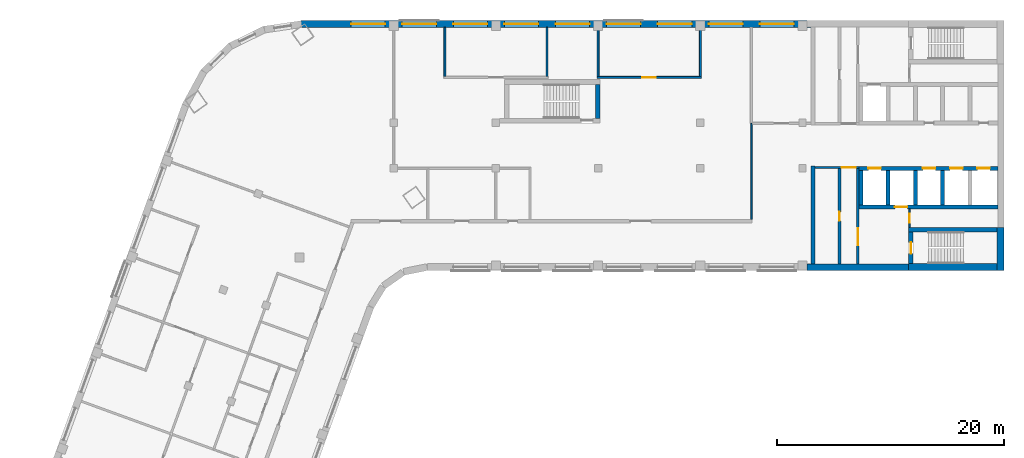
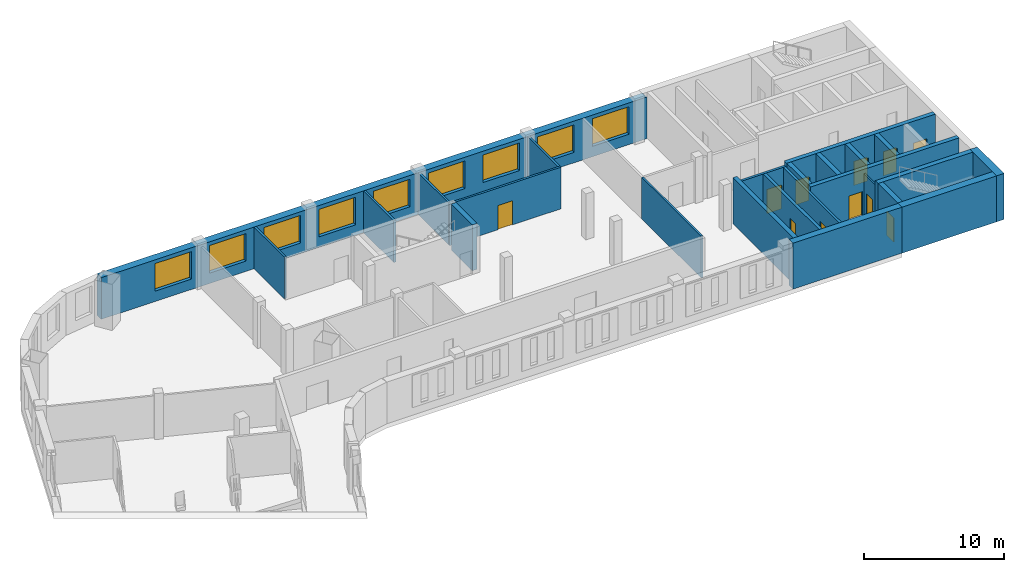
# One storey, part 5 of 8: 24 walls, 11 doors, 9 windows, 20 openings.
"""IFC4 building model written with IfcOpenShell, lengths in metres."""

from ifc_helpers import new_model, si_unit, direction, frame, frame_2d, origin, place, context, subcontext, project, spatial, rectangle, extrude, material, layer, layer_set, type_object, element, fill, save


model = new_model("IFC4")

# Units and contexts
model_context = context("Model", 3, precision=1e-05, world=origin(), true_north=direction((0.0, 1.0)))
body_context = subcontext(model_context, "Body", "Model", "MODEL_VIEW")
ifc_project = project(units=[si_unit("LENGTHUNIT", "METRE"), si_unit("AREAUNIT", "SQUARE_METRE"), si_unit("VOLUMEUNIT", "CUBIC_METRE"), si_unit("PLANEANGLEUNIT", "RADIAN"), si_unit("MASSUNIT", "GRAM", prefix="KILO")], contexts=[model_context])

# Site, building, storey
site_placement = place(None, origin())
site = spatial("IfcSite", under=ifc_project, at=site_placement, CompositionType="ELEMENT")
building_placement = place(site_placement, origin())
building = spatial("IfcBuilding", under=site, at=building_placement, Name="Skarvind Civic Tower", CompositionType="ELEMENT")
storey_placement = place(building_placement, frame((0.0, 0.0, 150.5)))
storey = spatial("IfcBuildingStorey", under=building, at=storey_placement, Name="L35", CompositionType="ELEMENT", Elevation=150.5)

# Walls
ifc_material_1 = material(Name="Acoustic gypsum board on steel studs", Category="steel")
ifc_layer_1 = layer(ifc_material_1, 0.175048828125)
ifc_layer_set_1 = layer_set([ifc_layer_1], Name="ACOUSTIC MEETING-ROOM PARTITION 175")
wall_type_1 = type_object("IfcWallType", Name="ACOUSTIC MEETING-ROOM PARTITION 175", PredefinedType="PARTITIONING", material=ifc_layer_set_1)
for number, where, z_axis, x_axis, name in (
    (1, (58.75, 134.087890625, 0.0), (0.0, 0.0, 1.0), (0.0, 1.0, 0.0), "Partition 35.033"),
    (2, (67.75, 138.39990234375, 0.0), (0.0, 0.0, 1.0), (0.0, -1.0, 0.0), "Partition 35.039"),
    (3, (72.25, 134.087890625, 0.0), (0.0, 0.0, 1.0), (0.0, 1.0, 0.0), "Partition 35.040"),
):
    element("IfcWall", number, at=place(storey_placement, frame(where, z_axis=z_axis, x_axis=x_axis)), inside=storey, type_object=wall_type_1, Name=name, PredefinedType="PARTITIONING", context=body_context, shape_type="SweptSolid", body=[
        extrude(rectangle(XDim=4.31201171875, YDim=0.175048828125, at=frame_2d((2.156005859375, 0.0))), origin(), (0.0, 0.0, 1.0), 3.625),
    ])

# Wall, opening, door
wall_1_placement = place(storey_placement, frame((81.337890625, 134.0, 0.0), z_axis=(0.0, 0.0, 1.0), x_axis=(-1.0, 0.0, 0.0)))
wall_1 = element("IfcWall", 4, at=wall_1_placement, inside=storey, type_object=wall_type_1, Name="Partition 35.041", PredefinedType="PARTITIONING", context=body_context, shape_type="SweptSolid", body=[
    extrude(rectangle(XDim=9.17578125, YDim=0.175048828125, at=frame_2d((4.587890625, 0.0))), origin(), (0.0, 0.0, 1.0), 3.625),
])
opening_1_placement = place(wall_1_placement, frame((3.988037109375, 0.0, 0.0)))
opening_1 = element("IfcOpeningElement", 5, at=opening_1_placement, cuts=wall_1, Name="Opening L35-D004", PredefinedType="OPENING", context=body_context, shape_type="SweptSolid", body=[
    extrude(rectangle(XDim=1.199951171875, YDim=2.10009765625, at=frame_2d((0.60009765625, 1.050048828125))), frame((0.0, 0.097412109375, 0.0), z_axis=(0.0, -1.0, 0.0), x_axis=(1.0, 0.0, 0.0)), (0.0, 0.0, 1.0), 0.195068359375),
])
ifc_material_2 = material(Name="Timber door leaf", Category="wood")
door_type_1 = type_object("IfcDoorType", Name="DOOR 1200X2100 DOUBLE TIMBER", OperationType="NOTDEFINED", PredefinedType="DOOR", material=ifc_material_2)
door_1_placement = place(opening_1_placement, origin())
door_1 = element("IfcDoor", 6, at=door_1_placement, inside=storey, type_object=door_type_1, Name="Door L35-D004", OperationType="DOUBLE_DOOR_SINGLE_SWING", OverallHeight=2.10009765625, OverallWidth=1.199951171875, PredefinedType="DOOR", context=body_context, shape_type="SweptSolid", body=[
    extrude(rectangle(XDim=1.199951171875, YDim=2.10009765625, at=frame_2d((0.60009765625, 1.050048828125))), frame((0.0, 0.02490234375, 0.0), z_axis=(0.0, -1.0, 0.0), x_axis=(1.0, 0.0, 0.0)), (0.0, 0.0, 1.0), 0.050048828125),
])
fill(opening_1, door_1)

# Wall
wall_2_placement = place(storey_placement, frame((81.25, 138.39990234375, 0.0), z_axis=(0.0, 0.0, 1.0), x_axis=(0.0, -1.0, 0.0)))
element("IfcWall", 7, at=wall_2_placement, inside=storey, type_object=wall_type_1, Name="Partition 35.042", PredefinedType="PARTITIONING", context=body_context, shape_type="SweptSolid", body=[
    extrude(rectangle(XDim=4.31201171875, YDim=0.175048828125, at=frame_2d((2.156005859375, 0.0))), origin(), (0.0, 0.0, 1.0), 3.625),
])

# Wall, opening, door
ifc_material_3 = material(Name="Fire-rated masonry partition", Category="masonry")
ifc_layer_2 = layer(ifc_material_3, 0.199951171875)
ifc_layer_set_2 = layer_set([ifc_layer_2], Name="Core enclosure wall 200")
wall_type_2 = type_object("IfcWallType", Name="Core enclosure wall 200", PredefinedType="PARTITIONING", material=ifc_layer_set_2)
wall_3_placement = place(storey_placement, frame((95.22509765625, 126.074951171875, 0.0), z_axis=(0.0, 0.0, 1.0), x_axis=(-1.0, 0.0, 0.0)))
wall_3 = element("IfcWall", 8, at=wall_3_placement, inside=storey, type_object=wall_type_2, Name="Core wall C1", PredefinedType="PARTITIONING", context=body_context, shape_type="SweptSolid", body=[
    extrude(rectangle(XDim=3.875, YDim=0.199951171875, at=frame_2d((1.9375, 0.0))), origin(), (0.0, 0.0, 1.0), 3.625),
])
opening_2_placement = place(wall_3_placement, frame((0.300048828125, 0.0, 0.0)))
opening_2 = element("IfcOpeningElement", 9, at=opening_2_placement, cuts=wall_3, Name="Opening D-L35-C1-07", PredefinedType="OPENING", context=body_context, shape_type="SweptSolid", body=[
    extrude(rectangle(XDim=1.199951171875, YDim=2.10009765625, at=frame_2d((0.60009765625, 1.050048828125))), frame((0.0, 0.10986328125, 0.0), z_axis=(0.0, -1.0, 0.0), x_axis=(1.0, 0.0, 0.0)), (0.0, 0.0, 1.0), 0.219970703125),
])
ifc_material_4 = material(Name="Fire-rated steel door", Category="steel")
door_type_2 = type_object("IfcDoorType", Name="Core lobby door 1200", OperationType="NOTDEFINED", PredefinedType="DOOR", material=ifc_material_4)
door_2_placement = place(opening_2_placement, origin())
door_2 = element("IfcDoor", 10, at=door_2_placement, inside=storey, type_object=door_type_2, Name="Fire door", OperationType="DOUBLE_DOOR_SINGLE_SWING", OverallHeight=2.10009765625, OverallWidth=1.199951171875, PredefinedType="DOOR", context=body_context, shape_type="SweptSolid", body=[
    extrude(rectangle(XDim=1.199951171875, YDim=2.10009765625, at=frame_2d((0.60009765625, 1.050048828125))), frame((0.0, 0.02490234375, 0.0), z_axis=(0.0, -1.0, 0.0), x_axis=(1.0, 0.0, 0.0)), (0.0, 0.0, 1.0), 0.050048828125),
])
fill(opening_2, door_2)

wall_4_placement = place(storey_placement, frame((95.125, 117.550048828125, 0.0), z_axis=(0.0, 0.0, 1.0), x_axis=(0.0, 1.0, 0.0)))
wall_4 = element("IfcWall", 11, at=wall_4_placement, inside=storey, type_object=wall_type_2, Name="Core wall C1", PredefinedType="PARTITIONING", context=body_context, shape_type="SweptSolid", body=[
    extrude(rectangle(XDim=8.425048828125, YDim=0.199951171875, at=frame_2d((4.21240234375, 0.0))), origin(), (0.0, 0.0, 1.0), 3.625),
])
opening_3_placement = place(wall_4_placement, frame((1.6875, 0.0, 0.0)))
opening_3 = element("IfcOpeningElement", 12, at=opening_3_placement, cuts=wall_4, Name="Opening D-L35-C1-08", PredefinedType="OPENING", context=body_context, shape_type="SweptSolid", body=[
    extrude(rectangle(XDim=1.5, YDim=2.10009765625, at=frame_2d((0.75, 1.050048828125))), frame((0.0, 0.10986328125, 0.0), z_axis=(0.0, -1.0, 0.0), x_axis=(1.0, 0.0, 0.0)), (0.0, 0.0, 1.0), 0.219970703125),
])
door_type_3 = type_object("IfcDoorType", Name="Fire door 1500", OperationType="NOTDEFINED", PredefinedType="DOOR", material=ifc_material_4)
door_3_placement = place(opening_3_placement, origin())
door_3 = element("IfcDoor", 13, at=door_3_placement, inside=storey, type_object=door_type_3, Name="Fire door", OperationType="DOUBLE_DOOR_SINGLE_SWING", OverallHeight=2.10009765625, OverallWidth=1.5, PredefinedType="DOOR", context=body_context, shape_type="SweptSolid", body=[
    extrude(rectangle(XDim=1.5, YDim=2.10009765625, at=frame_2d((0.75, 1.050048828125))), frame((0.0, 0.02490234375, 0.0), z_axis=(0.0, -1.0, 0.0), x_axis=(1.0, 0.0, 0.0)), (0.0, 0.0, 1.0), 0.050048828125),
])
fill(opening_3, door_3)

# Wall, openings, doors
ifc_material_5 = material(Name="Concrete C60", Category="concrete")
ifc_layer_3 = layer(ifc_material_5, 0.35009765625)
ifc_layer_set_3 = layer_set([ifc_layer_3], Name="Core wall 350 C60")
wall_type_3 = type_object("IfcWallType", Name="Core wall 350 C60", PredefinedType="SHEAR", material=ifc_layer_set_3)
wall_5_placement = place(storey_placement, frame((107.449951171875, 126.0, 0.0), z_axis=(0.0, 0.0, 1.0), x_axis=(-1.0, 0.0, 0.0)))
wall_5 = element("IfcWall", 14, at=wall_5_placement, inside=storey, type_object=wall_type_3, Name="Core wall C1 north lift row front L35", PredefinedType="SHEAR", context=body_context, shape_type="SweptSolid", body=[
    extrude(rectangle(XDim=12.224853515625, YDim=0.35009765625, at=frame_2d((6.1123046875, 0.0))), origin(), (0.0, 0.0, 1.0), 4.0),
])
opening_4_placement = place(wall_5_placement, frame((0.699951171875, 0.0, 0.0)))
opening_4 = element("IfcOpeningElement", 15, at=opening_4_placement, cuts=wall_5, Name="Opening LD37101", PredefinedType="OPENING", context=body_context, shape_type="SweptSolid", body=[
    extrude(rectangle(XDim=1.10009765625, YDim=2.10009765625, at=frame_2d((0.550048828125, 1.050048828125))), frame((0.0, 0.18505859375, 0.0), z_axis=(0.0, -1.0, 0.0), x_axis=(1.0, 0.0, 0.0)), (0.0, 0.0, 1.0), 0.3701171875),
])
opening_5_placement = place(wall_5_placement, frame((3.10009765625, 0.0, 0.0)))
opening_5 = element("IfcOpeningElement", 16, at=opening_5_placement, cuts=wall_5, Name="Opening LD37102", PredefinedType="OPENING", context=body_context, shape_type="SweptSolid", body=[
    extrude(rectangle(XDim=1.10009765625, YDim=2.10009765625, at=frame_2d((0.550048828125, 1.050048828125))), frame((0.0, 0.18505859375, 0.0), z_axis=(0.0, -1.0, 0.0), x_axis=(1.0, 0.0, 0.0)), (0.0, 0.0, 1.0), 0.3701171875),
])
opening_6_placement = place(wall_5_placement, frame((5.5, 0.0, 0.0)))
opening_6 = element("IfcOpeningElement", 17, at=opening_6_placement, cuts=wall_5, Name="Opening LD37103", PredefinedType="OPENING", context=body_context, shape_type="SweptSolid", body=[
    extrude(rectangle(XDim=1.10009765625, YDim=2.10009765625, at=frame_2d((0.550048828125, 1.050048828125))), frame((0.0, 0.18505859375, 0.0), z_axis=(0.0, -1.0, 0.0), x_axis=(1.0, 0.0, 0.0)), (0.0, 0.0, 1.0), 0.3701171875),
])
opening_7_placement = place(wall_5_placement, frame((10.300048828125, 0.0, 0.0)))
opening_7 = element("IfcOpeningElement", 18, at=opening_7_placement, cuts=wall_5, Name="Opening LD37105", PredefinedType="OPENING", context=body_context, shape_type="SweptSolid", body=[
    extrude(rectangle(XDim=1.10009765625, YDim=2.10009765625, at=frame_2d((0.550048828125, 1.050048828125))), frame((0.0, 0.18505859375, 0.0), z_axis=(0.0, -1.0, 0.0), x_axis=(1.0, 0.0, 0.0)), (0.0, 0.0, 1.0), 0.3701171875),
])
ifc_material_6 = material(Name="Stainless steel landing door", Category="steel")
door_type_4 = type_object("IfcDoorType", Name="Lift landing door 1100", OperationType="DOUBLE_DOOR_SLIDING", PredefinedType="DOOR", material=ifc_material_6)
door_4_placement = place(opening_4_placement, origin())
door_4 = element("IfcDoor", 19, at=door_4_placement, inside=storey, type_object=door_type_4, Name="Lift landing door", OperationType="DOUBLE_DOOR_SLIDING", OverallHeight=2.10009765625, OverallWidth=1.10009765625, PredefinedType="DOOR", context=body_context, shape_type="SweptSolid", body=[
    extrude(rectangle(XDim=1.10009765625, YDim=2.10009765625, at=frame_2d((0.550048828125, 1.050048828125))), frame((0.0, 0.02490234375, 0.0), z_axis=(0.0, -1.0, 0.0), x_axis=(1.0, 0.0, 0.0)), (0.0, 0.0, 1.0), 0.050048828125),
])
fill(opening_4, door_4)
door_5_placement = place(opening_5_placement, origin())
door_5 = element("IfcDoor", 20, at=door_5_placement, inside=storey, type_object=door_type_4, Name="Lift landing door", OperationType="DOUBLE_DOOR_SLIDING", OverallHeight=2.10009765625, OverallWidth=1.10009765625, PredefinedType="DOOR", context=body_context, shape_type="SweptSolid", body=[
    extrude(rectangle(XDim=1.10009765625, YDim=2.10009765625, at=frame_2d((0.550048828125, 1.050048828125))), frame((0.0, 0.02490234375, 0.0), z_axis=(0.0, -1.0, 0.0), x_axis=(1.0, 0.0, 0.0)), (0.0, 0.0, 1.0), 0.050048828125),
])
fill(opening_5, door_5)
door_6_placement = place(opening_6_placement, origin())
door_6 = element("IfcDoor", 21, at=door_6_placement, inside=storey, type_object=door_type_4, Name="Lift landing door", OperationType="DOUBLE_DOOR_SLIDING", OverallHeight=2.10009765625, OverallWidth=1.10009765625, PredefinedType="DOOR", context=body_context, shape_type="SweptSolid", body=[
    extrude(rectangle(XDim=1.10009765625, YDim=2.10009765625, at=frame_2d((0.550048828125, 1.050048828125))), frame((0.0, 0.02490234375, 0.0), z_axis=(0.0, -1.0, 0.0), x_axis=(1.0, 0.0, 0.0)), (0.0, 0.0, 1.0), 0.050048828125),
])
fill(opening_6, door_6)
door_7_placement = place(opening_7_placement, origin())
door_7 = element("IfcDoor", 22, at=door_7_placement, inside=storey, type_object=door_type_4, Name="Lift landing door", OperationType="DOUBLE_DOOR_SLIDING", OverallHeight=2.10009765625, OverallWidth=1.10009765625, PredefinedType="DOOR", context=body_context, shape_type="SweptSolid", body=[
    extrude(rectangle(XDim=1.10009765625, YDim=2.10009765625, at=frame_2d((0.550048828125, 1.050048828125))), frame((0.0, 0.02490234375, 0.0), z_axis=(0.0, -1.0, 0.0), x_axis=(1.0, 0.0, 0.0)), (0.0, 0.0, 1.0), 0.050048828125),
])
fill(opening_7, door_7)

# Wall, opening, door
wall_6_placement = place(storey_placement, frame((107.449951171875, 122.60009765625, 0.0), z_axis=(0.0, 0.0, 1.0), x_axis=(-1.0, 0.0, 0.0)))
wall_6 = element("IfcWall", 23, at=wall_6_placement, inside=storey, type_object=wall_type_3, Name="Core wall C1 north lift row back L35", PredefinedType="SHEAR", context=body_context, shape_type="SweptSolid", body=[
    extrude(rectangle(XDim=12.224853515625, YDim=0.35009765625, at=frame_2d((6.1123046875, 0.0))), origin(), (0.0, 0.0, 1.0), 4.0),
])
opening_8_placement = place(wall_6_placement, frame((7.949951171875, 0.0, 0.0)))
opening_8 = element("IfcOpeningElement", 24, at=opening_8_placement, cuts=wall_6, Name="Opening LD37104", PredefinedType="OPENING", context=body_context, shape_type="SweptSolid", body=[
    extrude(rectangle(XDim=1.10009765625, YDim=2.10009765625, at=frame_2d((0.550048828125, 1.050048828125))), frame((0.0, 0.18505859375, 0.0), z_axis=(0.0, -1.0, 0.0), x_axis=(1.0, 0.0, 0.0)), (0.0, 0.0, 1.0), 0.3701171875),
])
door_8_placement = place(opening_8_placement, origin())
door_8 = element("IfcDoor", 25, at=door_8_placement, inside=storey, type_object=door_type_4, Name="Lift landing door", OperationType="DOUBLE_DOOR_SLIDING", OverallHeight=2.10009765625, OverallWidth=1.10009765625, PredefinedType="DOOR", context=body_context, shape_type="SweptSolid", body=[
    extrude(rectangle(XDim=1.10009765625, YDim=2.10009765625, at=frame_2d((0.550048828125, 1.050048828125))), frame((0.0, 0.02490234375, 0.0), z_axis=(0.0, -1.0, 0.0), x_axis=(1.0, 0.0, 0.0)), (0.0, 0.0, 1.0), 0.050048828125),
])
fill(opening_8, door_8)

# Walls
for number, where, z_axis, x_axis, name in (
    (26, (102.60009765625, 125.824951171875, 0.0), (0.0, 0.0, 1.0), (0.0, -1.0, 0.0), "Core wall C1 north lift row division 2 L35"),
    (27, (100.199951171875, 125.824951171875, 0.0), (0.0, 0.0, 1.0), (0.0, -1.0, 0.0), "Core wall C1 north lift row division 3 L35"),
    (28, (97.800048828125, 125.824951171875, 0.0), (0.0, 0.0, 1.0), (0.0, -1.0, 0.0), "Core wall C1 north lift row division 4 L35"),
    (29, (95.39990234375, 125.824951171875, 0.0), (0.0, 0.0, 1.0), (0.0, -1.0, 0.0), "Core wall C1 north lift row division 5 L35"),
):
    element("IfcWall", number, at=place(storey_placement, frame(where, z_axis=z_axis, x_axis=x_axis)), inside=storey, type_object=wall_type_3, Name=name, PredefinedType="SHEAR", context=body_context, shape_type="SweptSolid", body=[
        extrude(rectangle(XDim=3.050048828125, YDim=0.35009765625, at=frame_2d((1.52490234375, 0.0))), origin(), (0.0, 0.0, 1.0), 4.0),
    ])
wall_7_placement = place(storey_placement, frame((91.175048828125, 126.199951171875, 0.0), z_axis=(0.0, 0.0, 1.0), x_axis=(0.0, -1.0, 0.0)))
element("IfcWall", 30, at=wall_7_placement, inside=storey, type_object=wall_type_3, Name="Core wall C1 north inner face L35", PredefinedType="SHEAR", context=body_context, shape_type="SweptSolid", body=[
    extrude(rectangle(XDim=8.64990234375, YDim=0.35009765625, at=frame_2d((4.324951171875, 0.0))), origin(), (0.0, 0.0, 1.0), 4.0),
])
ifc_layer_4 = layer(ifc_material_5, 0.39990234375)
ifc_layer_set_4 = layer_set([ifc_layer_4], Name="Core wall 400 C60")
wall_type_4 = type_object("IfcWallType", Name="Core wall 400 C60", PredefinedType="SHEAR", material=ifc_layer_set_4)
wall_8_placement = place(storey_placement, frame((107.39990234375, 120.60009765625, 0.0), z_axis=(0.0, 0.0, 1.0), x_axis=(-1.0, 0.0, 0.0)))
element("IfcWall", 31, at=wall_8_placement, inside=storey, type_object=wall_type_4, Name="Core wall C1 north stair inner L35", PredefinedType="SHEAR", context=body_context, shape_type="SweptSolid", body=[
    extrude(rectangle(XDim=7.7998046875, YDim=0.39990234375, at=frame_2d((3.89990234375, 0.0))), origin(), (0.0, 0.0, 1.0), 4.0),
])

# Wall, opening, door
wall_9_placement = place(storey_placement, frame((99.800048828125, 120.39990234375, 0.0), z_axis=(0.0, 0.0, 1.0), x_axis=(0.0, -1.0, 0.0)))
wall_9 = element("IfcWall", 32, at=wall_9_placement, inside=storey, type_object=wall_type_4, Name="Core wall C1 north stair end L35", PredefinedType="SHEAR", context=body_context, shape_type="SweptSolid", body=[
    extrude(rectangle(XDim=2.7998046875, YDim=0.39990234375, at=frame_2d((1.39990234375, 0.0))), origin(), (0.0, 0.0, 1.0), 4.0),
])
opening_9_placement = place(wall_9_placement, frame((0.925048828125, 0.0, 0.0)))
opening_9 = element("IfcOpeningElement", 33, at=opening_9_placement, cuts=wall_9, Name="Opening D-L35-C1-09", PredefinedType="OPENING", context=body_context, shape_type="SweptSolid", body=[
    extrude(rectangle(XDim=1.0, YDim=2.10009765625, at=frame_2d((0.5, 1.050048828125))), frame((0.0, 0.2099609375, 0.0), z_axis=(0.0, -1.0, 0.0), x_axis=(1.0, 0.0, 0.0)), (0.0, 0.0, 1.0), 0.419921875),
])
door_type_5 = type_object("IfcDoorType", Name="Fire door 1000", OperationType="NOTDEFINED", PredefinedType="DOOR", material=ifc_material_4)
door_9_placement = place(opening_9_placement, origin())
door_9 = element("IfcDoor", 34, at=door_9_placement, inside=storey, type_object=door_type_5, Name="Fire door", OperationType="SINGLE_SWING_LEFT", OverallHeight=2.10009765625, OverallWidth=1.0, PredefinedType="DOOR", context=body_context, shape_type="SweptSolid", body=[
    extrude(rectangle(XDim=1.0, YDim=2.10009765625, at=frame_2d((0.5, 1.050048828125))), frame((0.0, 0.02490234375, 0.0), z_axis=(0.0, -1.0, 0.0), x_axis=(1.0, 0.0, 0.0)), (0.0, 0.0, 1.0), 0.050048828125),
])
fill(opening_9, door_9)

# Walls
wall_10_placement = place(storey_placement, frame((72.199951171875, 130.39990234375, 0.0), z_axis=(0.0, 0.0, 1.0), x_axis=(0.0, 1.0, 0.0)))
element("IfcWall", 35, at=wall_10_placement, inside=storey, type_object=wall_type_4, Name="Core wall CM end L35", PredefinedType="SHEAR", context=body_context, shape_type="SweptSolid", body=[
    extrude(rectangle(XDim=3.0, YDim=0.39990234375, at=frame_2d((1.5, 0.0))), origin(), (0.0, 0.0, 1.0), 4.0),
])
ifc_layer_5 = layer(ifc_material_5, 0.550048828125)
ifc_layer_set_5 = layer_set([ifc_layer_5], Name="Core wall 550 C60")
wall_type_5 = type_object("IfcWallType", Name="Core wall 550 C60", PredefinedType="SHEAR", material=ifc_layer_set_5)
wall_11_placement = place(storey_placement, frame((99.60009765625, 117.27490234375, 0.0), z_axis=(0.0, 0.0, 1.0), x_axis=(-1.0, 0.0, 0.0)))
element("IfcWall", 36, at=wall_11_placement, inside=storey, type_object=wall_type_5, Name="Core wall C1 north side L35", PredefinedType="SHEAR", context=body_context, shape_type="SweptSolid", body=[
    extrude(rectangle(XDim=8.9501953125, YDim=0.550048828125, at=frame_2d((4.47509765625, 0.0))), origin(), (0.0, 0.0, 1.0), 4.0),
])
ifc_layer_6 = layer(ifc_material_5, 0.60009765625)
ifc_layer_set_6 = layer_set([ifc_layer_6], Name="Core wall 600 C60")
wall_type_6 = type_object("IfcWallType", Name="Core wall 600 C60", PredefinedType="SHEAR", material=ifc_layer_set_6)
wall_12_placement = place(storey_placement, frame((107.699951171875, 120.800048828125, 0.0), z_axis=(0.0, 0.0, 1.0), x_axis=(0.0, -1.0, 0.0)))
element("IfcWall", 37, at=wall_12_placement, inside=storey, type_object=wall_type_6, Name="Core wall C1 tip at the north stair L35", PredefinedType="SHEAR", context=body_context, shape_type="SweptSolid", body=[
    extrude(rectangle(XDim=3.800048828125, YDim=0.60009765625, at=frame_2d((1.89990234375, 0.0))), origin(), (0.0, 0.0, 1.0), 4.0),
])
wall_13_placement = place(storey_placement, frame((107.39990234375, 117.300048828125, 0.0), z_axis=(0.0, 0.0, 1.0), x_axis=(-1.0, 0.0, 0.0)))
element("IfcWall", 38, at=wall_13_placement, inside=storey, type_object=wall_type_6, Name="Core wall C1 north side at the stair L35", PredefinedType="SHEAR", context=body_context, shape_type="SweptSolid", body=[
    extrude(rectangle(XDim=7.7998046875, YDim=0.60009765625, at=frame_2d((3.89990234375, 0.0))), origin(), (0.0, 0.0, 1.0), 4.0),
])
ifc_material_7 = material(Name="Plasterboard partition on steel studs", Category="steel")
ifc_layer_7 = layer(ifc_material_7, 0.14990234375)
ifc_layer_set_7 = layer_set([ifc_layer_7], Name="PARTITION 150")
wall_type_7 = type_object("IfcWallType", Name="PARTITION 150", PredefinedType="PARTITIONING", material=ifc_layer_set_7)
wall_14_placement = place(storey_placement, frame((85.75, 121.5, 0.0), z_axis=(0.0, 0.0, 1.0), x_axis=(0.0, 1.0, 0.0)))
element("IfcWall", 39, at=wall_14_placement, inside=storey, type_object=wall_type_7, Name="Partition 35.043", PredefinedType="PARTITIONING", context=body_context, shape_type="SweptSolid", body=[
    extrude(rectangle(XDim=8.449951171875, YDim=0.14990234375, at=frame_2d((4.22509765625, 0.0))), origin(), (0.0, 0.0, 1.0), 3.625),
])

# Wall, opening, door
ifc_layer_8 = layer(ifc_material_3, 0.125)
ifc_layer_set_8 = layer_set([ifc_layer_8], Name="Riser wall 125")
wall_type_8 = type_object("IfcWallType", Name="Riser wall 125", PredefinedType="PARTITIONING", material=ifc_layer_set_8)
wall_15_placement = place(storey_placement, frame((99.66259765625, 120.800048828125, 0.0), z_axis=(0.0, 0.0, 1.0), x_axis=(0.0, 1.0, 0.0)))
wall_15 = element("IfcWall", 40, at=wall_15_placement, inside=storey, type_object=wall_type_8, Name="Core wall C1", PredefinedType="PARTITIONING", context=body_context, shape_type="SweptSolid", body=[
    extrude(rectangle(XDim=1.625, YDim=0.125, at=frame_2d((0.8125, 0.0))), origin(), (0.0, 0.0, 1.0), 3.625),
])
opening_10_placement = place(wall_15_placement, frame((0.41259765625, 0.0, 0.0)))
opening_10 = element("IfcOpeningElement", 41, at=opening_10_placement, cuts=wall_15, Name="Opening D-L35-C1-10", PredefinedType="OPENING", context=body_context, shape_type="SweptSolid", body=[
    extrude(rectangle(XDim=0.800048828125, YDim=2.10009765625, at=frame_2d((0.39990234375, 1.050048828125))), frame((0.0, 0.072509765625, 0.0), z_axis=(0.0, -1.0, 0.0), x_axis=(1.0, 0.0, 0.0)), (0.0, 0.0, 1.0), 0.14501953125),
])
door_type_6 = type_object("IfcDoorType", Name="Core riser door 800", OperationType="NOTDEFINED", PredefinedType="DOOR", material=ifc_material_4)
door_10_placement = place(opening_10_placement, origin())
door_10 = element("IfcDoor", 42, at=door_10_placement, inside=storey, type_object=door_type_6, Name="Riser door", OperationType="SINGLE_SWING_RIGHT", OverallHeight=2.10009765625, OverallWidth=0.800048828125, PredefinedType="DOOR", context=body_context, shape_type="SweptSolid", body=[
    extrude(rectangle(XDim=0.800048828125, YDim=2.10009765625, at=frame_2d((0.39990234375, 1.050048828125))), frame((0.0, 0.02490234375, 0.0), z_axis=(0.0, -1.0, 0.0), x_axis=(1.0, 0.0, 0.0)), (0.0, 0.0, 1.0), 0.050048828125),
])
fill(opening_10, door_10)

ifc_layer_9 = layer(ifc_material_3, 0.25)
ifc_layer_set_9 = layer_set([ifc_layer_9], Name="Service block wall 250")
wall_type_9 = type_object("IfcWallType", Name="Service block wall 250", PredefinedType="PARTITIONING", material=ifc_layer_set_9)
wall_16_placement = place(storey_placement, frame((93.5, 117.550048828125, 0.0), z_axis=(0.0, 0.0, 1.0), x_axis=(0.0, 1.0, 0.0)))
wall_16 = element("IfcWall", 43, at=wall_16_placement, inside=storey, type_object=wall_type_9, Name="Core wall C1", PredefinedType="PARTITIONING", context=body_context, shape_type="SweptSolid", body=[
    extrude(rectangle(XDim=8.425048828125, YDim=0.25, at=frame_2d((4.21240234375, 0.0))), origin(), (0.0, 0.0, 1.0), 3.625),
])
opening_11_placement = place(wall_16_placement, frame((3.8125, 0.0, 0.0)))
opening_11 = element("IfcOpeningElement", 44, at=opening_11_placement, cuts=wall_16, Name="Opening D-L35-C1-11", PredefinedType="OPENING", context=body_context, shape_type="SweptSolid", body=[
    extrude(rectangle(XDim=0.800048828125, YDim=2.10009765625, at=frame_2d((0.39990234375, 1.050048828125))), frame((0.0, 0.135009765625, 0.0), z_axis=(0.0, -1.0, 0.0), x_axis=(1.0, 0.0, 0.0)), (0.0, 0.0, 1.0), 0.27001953125),
])
door_11_placement = place(opening_11_placement, origin())
door_11 = element("IfcDoor", 45, at=door_11_placement, inside=storey, type_object=door_type_6, Name="Riser door", OperationType="SINGLE_SWING_LEFT", OverallHeight=2.10009765625, OverallWidth=0.800048828125, PredefinedType="DOOR", context=body_context, shape_type="SweptSolid", body=[
    extrude(rectangle(XDim=0.800048828125, YDim=2.10009765625, at=frame_2d((0.39990234375, 1.050048828125))), frame((0.0, 0.02490234375, 0.0), z_axis=(0.0, -1.0, 0.0), x_axis=(1.0, 0.0, 0.0)), (0.0, 0.0, 1.0), 0.050048828125),
])
fill(opening_11, door_11)

# Wall, openings, windows
ifc_material_8 = material(Name="Limestone masonry cladding on insulated backing", Category="masonry")
ifc_layer_10 = layer(ifc_material_8, 0.60009765625)
ifc_layer_set_10 = layer_set([ifc_layer_10], Name="WX1 STONE FACADE WALL 600")
wall_type_10 = type_object("IfcWallType", Name="WX1 STONE FACADE WALL 600", PredefinedType="SOLIDWALL", material=ifc_layer_set_10)
wall_17_placement = place(storey_placement, frame((46.095458984375, 138.699951171875, 0.0), z_axis=(0.0, 0.0, 1.0), x_axis=(1.0, 0.0, 0.0)))
wall_17 = element("IfcWall", 46, at=wall_17_placement, inside=storey, type_object=wall_type_10, Name="STONE FACADE WALL", PredefinedType="SOLIDWALL", context=body_context, shape_type="SweptSolid", body=[
    extrude(rectangle(XDim=44.884521484375, YDim=0.60009765625, at=frame_2d((22.4423828125, 0.0))), origin(), (0.0, 0.0, 1.0), 3.625),
])
opening_12_placement = place(wall_17_placement, frame((4.404541015625, 0.0, 0.89990234375)))
opening_12 = element("IfcOpeningElement", 47, at=opening_12_placement, cuts=wall_17, Name="Opening WN1", PredefinedType="OPENING", context=body_context, shape_type="SweptSolid", body=[
    extrude(rectangle(XDim=3.0, YDim=2.39990234375, at=frame_2d((1.5, 1.199951171875))), frame((0.0, 0.31005859375, 0.0), z_axis=(0.0, -1.0, 0.0), x_axis=(1.0, 0.0, 0.0)), (0.0, 0.0, 1.0), 0.6201171875),
])
opening_13_placement = place(wall_17_placement, frame((8.904541015625, 0.0, 0.89990234375)))
opening_13 = element("IfcOpeningElement", 48, at=opening_13_placement, cuts=wall_17, Name="Opening WN1", PredefinedType="OPENING", context=body_context, shape_type="SweptSolid", body=[
    extrude(rectangle(XDim=3.0, YDim=2.39990234375, at=frame_2d((1.5, 1.199951171875))), frame((0.0, 0.31005859375, 0.0), z_axis=(0.0, -1.0, 0.0), x_axis=(1.0, 0.0, 0.0)), (0.0, 0.0, 1.0), 0.6201171875),
])
opening_14_placement = place(wall_17_placement, frame((13.404541015625, 0.0, 0.89990234375)))
opening_14 = element("IfcOpeningElement", 49, at=opening_14_placement, cuts=wall_17, Name="Opening WN1", PredefinedType="OPENING", context=body_context, shape_type="SweptSolid", body=[
    extrude(rectangle(XDim=3.0, YDim=2.39990234375, at=frame_2d((1.5, 1.199951171875))), frame((0.0, 0.31005859375, 0.0), z_axis=(0.0, -1.0, 0.0), x_axis=(1.0, 0.0, 0.0)), (0.0, 0.0, 1.0), 0.6201171875),
])
opening_15_placement = place(wall_17_placement, frame((17.904541015625, 0.0, 0.89990234375)))
opening_15 = element("IfcOpeningElement", 50, at=opening_15_placement, cuts=wall_17, Name="Opening WN1", PredefinedType="OPENING", context=body_context, shape_type="SweptSolid", body=[
    extrude(rectangle(XDim=3.0, YDim=2.39990234375, at=frame_2d((1.5, 1.199951171875))), frame((0.0, 0.31005859375, 0.0), z_axis=(0.0, -1.0, 0.0), x_axis=(1.0, 0.0, 0.0)), (0.0, 0.0, 1.0), 0.6201171875),
])
opening_16_placement = place(wall_17_placement, frame((22.404541015625, 0.0, 0.89990234375)))
opening_16 = element("IfcOpeningElement", 51, at=opening_16_placement, cuts=wall_17, Name="Opening WN1", PredefinedType="OPENING", context=body_context, shape_type="SweptSolid", body=[
    extrude(rectangle(XDim=3.0, YDim=2.39990234375, at=frame_2d((1.5, 1.199951171875))), frame((0.0, 0.31005859375, 0.0), z_axis=(0.0, -1.0, 0.0), x_axis=(1.0, 0.0, 0.0)), (0.0, 0.0, 1.0), 0.6201171875),
])
opening_17_placement = place(wall_17_placement, frame((26.904541015625, 0.0, 0.89990234375)))
opening_17 = element("IfcOpeningElement", 52, at=opening_17_placement, cuts=wall_17, Name="Opening WN1", PredefinedType="OPENING", context=body_context, shape_type="SweptSolid", body=[
    extrude(rectangle(XDim=3.0, YDim=2.39990234375, at=frame_2d((1.5, 1.199951171875))), frame((0.0, 0.31005859375, 0.0), z_axis=(0.0, -1.0, 0.0), x_axis=(1.0, 0.0, 0.0)), (0.0, 0.0, 1.0), 0.6201171875),
])
opening_18_placement = place(wall_17_placement, frame((31.404541015625, 0.0, 0.89990234375)))
opening_18 = element("IfcOpeningElement", 53, at=opening_18_placement, cuts=wall_17, Name="Opening WN1", PredefinedType="OPENING", context=body_context, shape_type="SweptSolid", body=[
    extrude(rectangle(XDim=3.0, YDim=2.39990234375, at=frame_2d((1.5, 1.199951171875))), frame((0.0, 0.31005859375, 0.0), z_axis=(0.0, -1.0, 0.0), x_axis=(1.0, 0.0, 0.0)), (0.0, 0.0, 1.0), 0.6201171875),
])
opening_19_placement = place(wall_17_placement, frame((35.904541015625, 0.0, 0.89990234375)))
opening_19 = element("IfcOpeningElement", 54, at=opening_19_placement, cuts=wall_17, Name="Opening WN1", PredefinedType="OPENING", context=body_context, shape_type="SweptSolid", body=[
    extrude(rectangle(XDim=3.0, YDim=2.39990234375, at=frame_2d((1.5, 1.199951171875))), frame((0.0, 0.31005859375, 0.0), z_axis=(0.0, -1.0, 0.0), x_axis=(1.0, 0.0, 0.0)), (0.0, 0.0, 1.0), 0.6201171875),
])
opening_20_placement = place(wall_17_placement, frame((40.404541015625, 0.0, 0.89990234375)))
opening_20 = element("IfcOpeningElement", 55, at=opening_20_placement, cuts=wall_17, Name="Opening WN1", PredefinedType="OPENING", context=body_context, shape_type="SweptSolid", body=[
    extrude(rectangle(XDim=3.0, YDim=2.39990234375, at=frame_2d((1.5, 1.199951171875))), frame((0.0, 0.31005859375, 0.0), z_axis=(0.0, -1.0, 0.0), x_axis=(1.0, 0.0, 0.0)), (0.0, 0.0, 1.0), 0.6201171875),
])
ifc_material_9 = material(Name="Timber frame, double glazing, timber-lined reveal", Category="wood")
window_type = type_object("IfcWindowType", Name="WN1 PUNCHED STONE WINDOW 3000 x 2400", PartitioningType="SINGLE_PANEL", PredefinedType="WINDOW", material=ifc_material_9)
window_1_placement = place(opening_12_placement, origin())
window_1 = element("IfcWindow", 56, at=window_1_placement, inside=storey, type_object=window_type, Name="WN1 WINDOW", OverallHeight=2.39990234375, OverallWidth=3.0, PartitioningType="SINGLE_PANEL", PredefinedType="WINDOW", context=body_context, shape_type="SweptSolid", body=[
    extrude(rectangle(XDim=3.0, YDim=2.39990234375, at=frame_2d((1.5, 1.199951171875))), frame((0.0, 0.030029296875, 0.0), z_axis=(0.0, -1.0, 0.0), x_axis=(1.0, 0.0, 0.0)), (0.0, 0.0, 1.0), 0.06005859375),
])
fill(opening_12, window_1)
window_2_placement = place(opening_13_placement, origin())
window_2 = element("IfcWindow", 57, at=window_2_placement, inside=storey, type_object=window_type, Name="WN1 WINDOW", OverallHeight=2.39990234375, OverallWidth=3.0, PartitioningType="SINGLE_PANEL", PredefinedType="WINDOW", context=body_context, shape_type="SweptSolid", body=[
    extrude(rectangle(XDim=3.0, YDim=2.39990234375, at=frame_2d((1.5, 1.199951171875))), frame((0.0, 0.030029296875, 0.0), z_axis=(0.0, -1.0, 0.0), x_axis=(1.0, 0.0, 0.0)), (0.0, 0.0, 1.0), 0.06005859375),
])
fill(opening_13, window_2)
window_3_placement = place(opening_14_placement, origin())
window_3 = element("IfcWindow", 58, at=window_3_placement, inside=storey, type_object=window_type, Name="WN1 WINDOW", OverallHeight=2.39990234375, OverallWidth=3.0, PartitioningType="SINGLE_PANEL", PredefinedType="WINDOW", context=body_context, shape_type="SweptSolid", body=[
    extrude(rectangle(XDim=3.0, YDim=2.39990234375, at=frame_2d((1.5, 1.199951171875))), frame((0.0, 0.030029296875, 0.0), z_axis=(0.0, -1.0, 0.0), x_axis=(1.0, 0.0, 0.0)), (0.0, 0.0, 1.0), 0.06005859375),
])
fill(opening_14, window_3)
window_4_placement = place(opening_15_placement, origin())
window_4 = element("IfcWindow", 59, at=window_4_placement, inside=storey, type_object=window_type, Name="WN1 WINDOW", OverallHeight=2.39990234375, OverallWidth=3.0, PartitioningType="SINGLE_PANEL", PredefinedType="WINDOW", context=body_context, shape_type="SweptSolid", body=[
    extrude(rectangle(XDim=3.0, YDim=2.39990234375, at=frame_2d((1.5, 1.199951171875))), frame((0.0, 0.030029296875, 0.0), z_axis=(0.0, -1.0, 0.0), x_axis=(1.0, 0.0, 0.0)), (0.0, 0.0, 1.0), 0.06005859375),
])
fill(opening_15, window_4)
window_5_placement = place(opening_16_placement, origin())
window_5 = element("IfcWindow", 60, at=window_5_placement, inside=storey, type_object=window_type, Name="WN1 WINDOW", OverallHeight=2.39990234375, OverallWidth=3.0, PartitioningType="SINGLE_PANEL", PredefinedType="WINDOW", context=body_context, shape_type="SweptSolid", body=[
    extrude(rectangle(XDim=3.0, YDim=2.39990234375, at=frame_2d((1.5, 1.199951171875))), frame((0.0, 0.030029296875, 0.0), z_axis=(0.0, -1.0, 0.0), x_axis=(1.0, 0.0, 0.0)), (0.0, 0.0, 1.0), 0.06005859375),
])
fill(opening_16, window_5)
window_6_placement = place(opening_17_placement, origin())
window_6 = element("IfcWindow", 61, at=window_6_placement, inside=storey, type_object=window_type, Name="WN1 WINDOW", OverallHeight=2.39990234375, OverallWidth=3.0, PartitioningType="SINGLE_PANEL", PredefinedType="WINDOW", context=body_context, shape_type="SweptSolid", body=[
    extrude(rectangle(XDim=3.0, YDim=2.39990234375, at=frame_2d((1.5, 1.199951171875))), frame((0.0, 0.030029296875, 0.0), z_axis=(0.0, -1.0, 0.0), x_axis=(1.0, 0.0, 0.0)), (0.0, 0.0, 1.0), 0.06005859375),
])
fill(opening_17, window_6)
window_7_placement = place(opening_18_placement, origin())
window_7 = element("IfcWindow", 62, at=window_7_placement, inside=storey, type_object=window_type, Name="WN1 WINDOW", OverallHeight=2.39990234375, OverallWidth=3.0, PartitioningType="SINGLE_PANEL", PredefinedType="WINDOW", context=body_context, shape_type="SweptSolid", body=[
    extrude(rectangle(XDim=3.0, YDim=2.39990234375, at=frame_2d((1.5, 1.199951171875))), frame((0.0, 0.030029296875, 0.0), z_axis=(0.0, -1.0, 0.0), x_axis=(1.0, 0.0, 0.0)), (0.0, 0.0, 1.0), 0.06005859375),
])
fill(opening_18, window_7)
window_8_placement = place(opening_19_placement, origin())
window_8 = element("IfcWindow", 63, at=window_8_placement, inside=storey, type_object=window_type, Name="WN1 WINDOW", OverallHeight=2.39990234375, OverallWidth=3.0, PartitioningType="SINGLE_PANEL", PredefinedType="WINDOW", context=body_context, shape_type="SweptSolid", body=[
    extrude(rectangle(XDim=3.0, YDim=2.39990234375, at=frame_2d((1.5, 1.199951171875))), frame((0.0, 0.030029296875, 0.0), z_axis=(0.0, -1.0, 0.0), x_axis=(1.0, 0.0, 0.0)), (0.0, 0.0, 1.0), 0.06005859375),
])
fill(opening_19, window_8)
window_9_placement = place(opening_20_placement, origin())
window_9 = element("IfcWindow", 64, at=window_9_placement, inside=storey, type_object=window_type, Name="WN1 WINDOW", OverallHeight=2.39990234375, OverallWidth=3.0, PartitioningType="SINGLE_PANEL", PredefinedType="WINDOW", context=body_context, shape_type="SweptSolid", body=[
    extrude(rectangle(XDim=3.0, YDim=2.39990234375, at=frame_2d((1.5, 1.199951171875))), frame((0.0, 0.030029296875, 0.0), z_axis=(0.0, -1.0, 0.0), x_axis=(1.0, 0.0, 0.0)), (0.0, 0.0, 1.0), 0.06005859375),
])
fill(opening_20, window_9)

save(model, "model.ifc")
